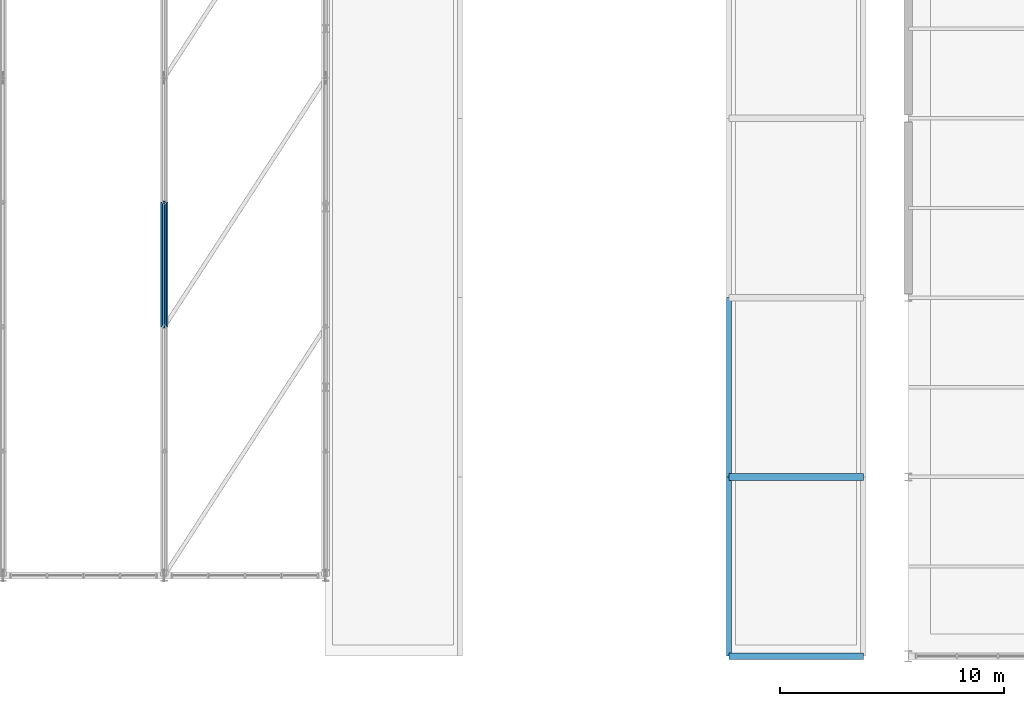
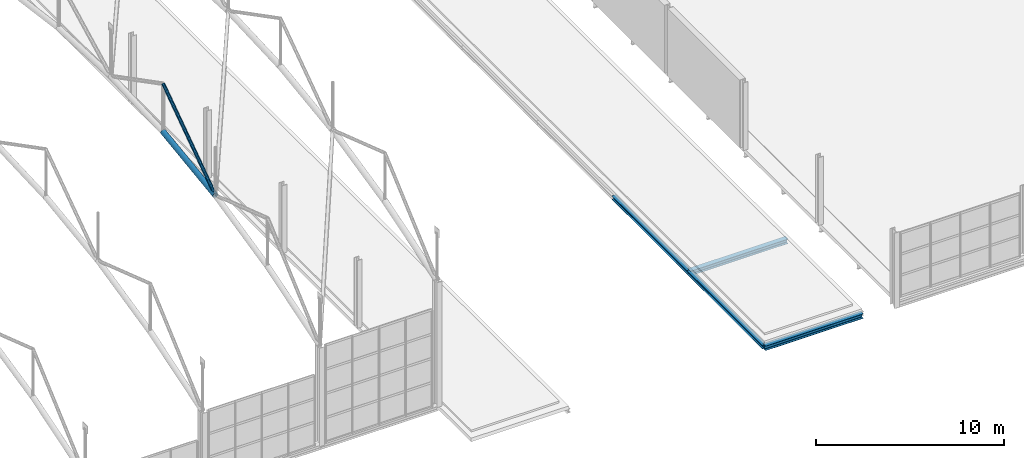
# One storey, part 62 of 153: 4 beams, 2 members.
"""IFC4 building model written with IfcOpenShell, lengths in metres."""

from ifc_helpers import new_model, si_unit, derived_unit, direction, frame, origin, origin_2d, place, context, subcontext, project, spatial, hollow_circle, i_section, extrude, material, material_profile, profile_set, type_object, element, save


model = new_model("IFC4")

# Units and contexts
model_context = context("Model", 3, precision=1e-05, world=origin(), true_north=direction((0.0, 1.0)))
body_context = subcontext(model_context, "Body", "Model", "MODEL_VIEW")
ifc_project = project(units=[si_unit("LENGTHUNIT", "METRE"), si_unit("AREAUNIT", "SQUARE_METRE"), si_unit("VOLUMEUNIT", "CUBIC_METRE"), si_unit("PLANEANGLEUNIT", "RADIAN"), si_unit("MASSUNIT", "GRAM", prefix="KILO"), derived_unit("THERMALTRANSMITTANCEUNIT", [(si_unit("POWERUNIT", "WATT"), 1), (si_unit("LENGTHUNIT", "METRE"), -2), (si_unit("THERMODYNAMICTEMPERATUREUNIT", "KELVIN"), -1)])], contexts=[model_context])

# Site, building, storey
site_placement = place(None, origin())
site = spatial("IfcSite", under=ifc_project, at=site_placement, CompositionType="ELEMENT")
building_placement = place(site_placement, origin())
building = spatial("IfcBuilding", under=site, at=building_placement, Name="Keldorne Ridge Multi-Sports Centre", CompositionType="ELEMENT")
storey_placement = place(building_placement, frame((0.0, 0.0, 9.60009765625)))
storey = spatial("IfcBuildingStorey", under=building, at=storey_placement, Name="L02", CompositionType="ELEMENT", Elevation=9.60009765625)

# Beams
ifc_material = material(Name="Steel S355", Category="steel")
ifc_material_profile_1 = material_profile(ifc_material, i_section(OverallWidth=0.300048828125, OverallDepth=0.300048828125, WebThickness=0.010986328125, FlangeThickness=0.01904296875, FilletRadius=0.027099609375, at=origin_2d()), Name="HEB 300")
ifc_profile_set_1 = profile_set([ifc_material_profile_1], Name="Steel S355")
beam_type_1 = type_object("IfcBeamType", Name="BM-B-14", PredefinedType="BEAM", material=ifc_profile_set_1)
for number, where, z_axis, x_axis, name in (
    (1, (96.0, 6.0, -0.380126953125), (1.0, 0.0, 0.0), (0.0, 1.0, 0.0), "L02 east skirt roof beam 1"),
    (2, (96.0, 14.0, -0.380126953125), (1.0, 0.0, 0.0), (0.0, 1.0, 0.0), "L02 east skirt roof beam 2"),
):
    element("IfcBeam", number, at=place(storey_placement, frame(where, z_axis=z_axis, x_axis=x_axis)), inside=storey, type_object=beam_type_1, Name=name, PredefinedType="BEAM", context=body_context, shape_type="SweptSolid", body=[
        extrude(i_section(OverallWidth=0.300048828125, OverallDepth=0.300048828125, WebThickness=0.010986328125, FlangeThickness=0.01904296875, FilletRadius=0.027099609375, at=origin_2d()), origin(), (0.0, 0.0, 1.0), 6.0),
    ])
ifc_material_profile_2 = material_profile(ifc_material, i_section(OverallWidth=0.239990234375, OverallDepth=0.22998046875, WebThickness=0.007568359375, FlangeThickness=0.011962890625, FilletRadius=0.02099609375, at=origin_2d()), Name="HEA 240")
ifc_profile_set_2 = profile_set([ifc_material_profile_2], Name="Steel S355")
beam_type_2 = type_object("IfcBeamType", Name="BM-SP-05", PredefinedType="SPANDREL", material=ifc_profile_set_2)
for number, where, z_axis, x_axis, name in (
    (3, (96.0, 6.0, -0.34521484375), (0.0, 1.0, 0.0), (-1.0, 0.0, 0.0), "L02 passage roof beam G14.1"),
    (4, (96.0, 14.0, -0.34521484375), (0.0, 1.0, 0.0), (-1.0, 0.0, 0.0), "L02 passage roof beam G14.2"),
):
    element("IfcBeam", number, at=place(storey_placement, frame(where, z_axis=z_axis, x_axis=x_axis)), inside=storey, type_object=beam_type_2, Name=name, PredefinedType="SPANDREL", context=body_context, shape_type="SweptSolid", body=[
        extrude(i_section(OverallWidth=0.239990234375, OverallDepth=0.22998046875, WebThickness=0.007568359375, FlangeThickness=0.011962890625, FilletRadius=0.02099609375, at=origin_2d()), origin(), (0.0, 0.0, 1.0), 8.0),
    ])

# Members
ifc_material_profile_3 = material_profile(ifc_material, hollow_circle(Radius=0.161865234375, WallThickness=0.01611328125, at=origin_2d()), Name="CHS 323.9x16")
ifc_profile_set_3 = profile_set([ifc_material_profile_3], Name="Steel S355")
member_type_1 = type_object("IfcMemberType", Name="MEM-TC-02", PredefinedType="CHORD", material=ifc_profile_set_3)
member_1_placement = place(storey_placement, frame((70.800048828125, 20.699951171875, 9.3798828125), z_axis=(0.0, 0.990992586768, 0.13391673895), x_axis=(-1.0, 0.0, 0.0)))
element("IfcMember", 5, at=member_1_placement, inside=storey, type_object=member_type_1, Name="Main Hall ROOF TRUSS AT-10 bottom chord 3", PredefinedType="CHORD", context=body_context, shape_type="SweptSolid", body=[
    extrude(hollow_circle(Radius=0.161865234375, WallThickness=0.01611328125, at=origin_2d()), origin(), (0.0, 0.0, 1.0), 5.6005859375),
])
ifc_material_profile_4 = material_profile(ifc_material, hollow_circle(Radius=0.096923828125, WallThickness=0.010009765625, at=origin_2d()), Name="CHS 193.7x10")
ifc_profile_set_4 = profile_set([ifc_material_profile_4], Name="Steel S355")
member_type_2 = type_object("IfcMemberType", Name="MEM-TD-01", PredefinedType="BRACE", material=ifc_profile_set_4)
member_2_placement = place(storey_placement, frame((70.800048828125, 20.699951171875, 9.3798828125), z_axis=(0.0, 0.820266325192, 0.571981779217), x_axis=(-1.0, 0.0, 0.0)))
element("IfcMember", 6, at=member_2_placement, inside=storey, type_object=member_type_2, Name="Main Hall ROOF TRUSS AT-10 diagonal 3", PredefinedType="BRACE", context=body_context, shape_type="SweptSolid", body=[
    extrude(hollow_circle(Radius=0.096923828125, WallThickness=0.010009765625, at=origin_2d()), origin(), (0.0, 0.0, 1.0), 6.76611328125),
])

save(model, "model.ifc")
